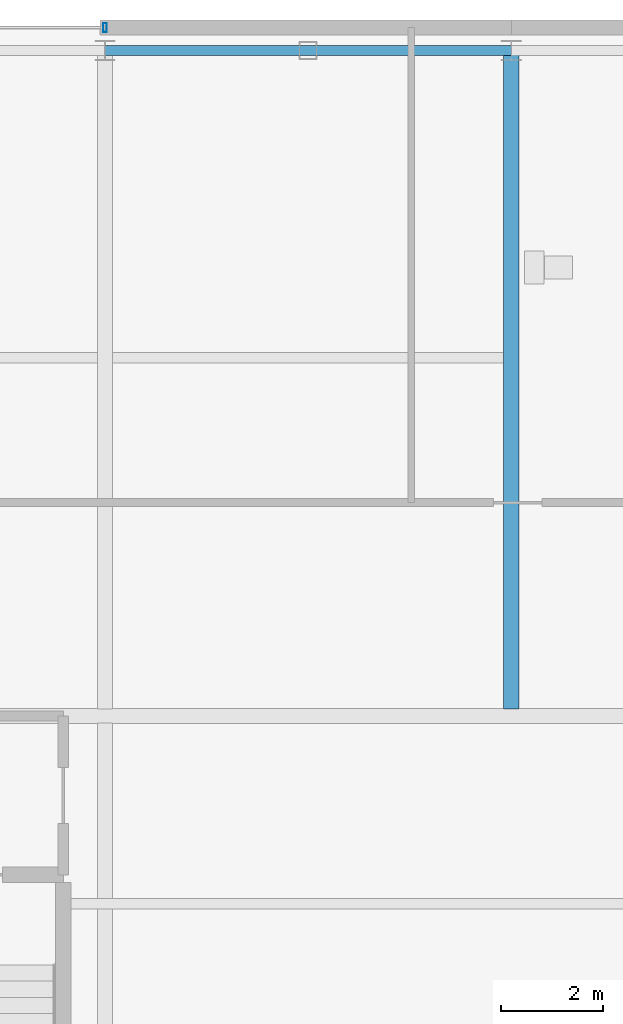
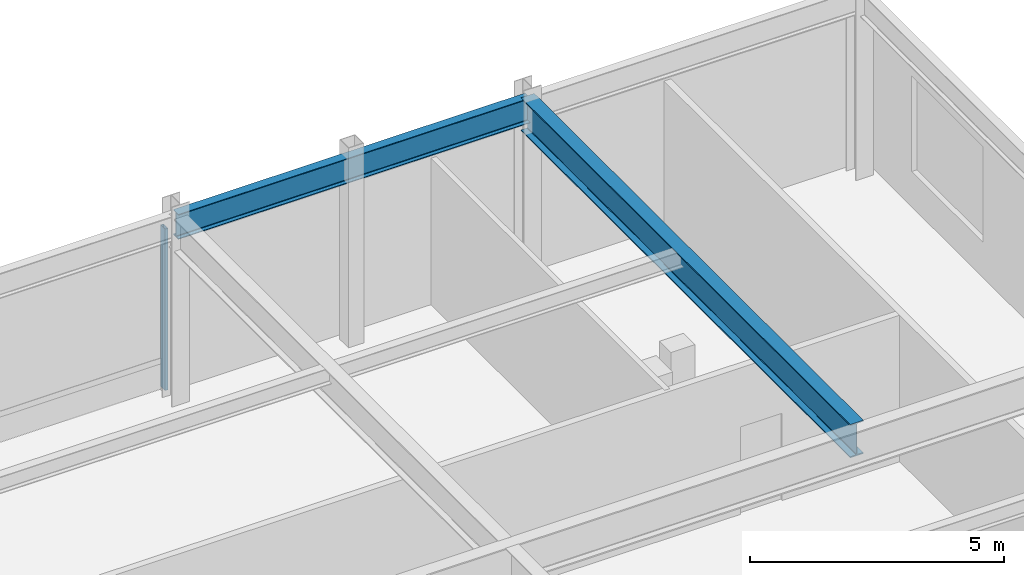
# One storey, part 16 of 26: 2 beams, 1 member, 1 element without a shape of its own.
"""IFC4 building model written with IfcOpenShell, lengths in metres."""

from ifc_helpers import new_model, si_unit, direction, frame, origin, origin_2d, place, context, subcontext, project, spatial, hollow_rectangle, i_section, extrude, material, layer, layer_set, material_profile, profile_set, type_object, element, aggregate, save


model = new_model("IFC4")

# Units and contexts
model_context = context("Model", 3, precision=1e-05, world=origin(), true_north=direction((0.0, 1.0)))
body_context = subcontext(model_context, "Body", "Model", "MODEL_VIEW")
ifc_project = project(units=[si_unit("LENGTHUNIT", "METRE"), si_unit("AREAUNIT", "SQUARE_METRE"), si_unit("VOLUMEUNIT", "CUBIC_METRE"), si_unit("PLANEANGLEUNIT", "RADIAN"), si_unit("MASSUNIT", "GRAM", prefix="KILO")], contexts=[model_context])

# Site, building, storey
site_placement = place(None, origin())
site = spatial("IfcSite", under=ifc_project, at=site_placement, CompositionType="ELEMENT")
building_placement = place(site_placement, origin())
building = spatial("IfcBuilding", under=site, at=building_placement, Name="Veldorina Hangang Commons", CompositionType="ELEMENT")
storey_placement = place(building_placement, frame((0.0, 0.0, 5.199951171875)))
storey = spatial("IfcBuildingStorey", under=building, at=storey_placement, Name="L01", CompositionType="ELEMENT", Elevation=5.199951171875)

# Beams
ifc_material_1 = material(Name="Steel SM460-TMC", Category="steel")
ifc_material_profile_1 = material_profile(ifc_material_1, i_section(OverallWidth=0.300048828125, OverallDepth=0.800048828125, WebThickness=0.013916015625, FlangeThickness=0.02587890625, FilletRadius=0.02197265625, at=origin_2d()), Name="H-800x300x14x26")
ifc_profile_set_1 = profile_set([ifc_material_profile_1], Name="Steel SM460-TMC")
beam_type_1 = type_object("IfcBeamType", Name="BM-PG800", PredefinedType="BEAM", material=ifc_profile_set_1)
beam_1_placement = place(storey_placement, frame((52.0, 31.590087890625, 4.10009765625), z_axis=(0.0, 1.0, 0.0), x_axis=(-1.0, 0.0, 0.0)))
element("IfcBeam", 1, at=beam_1_placement, inside=storey, type_object=beam_type_1, Name="L01 north primary girder G8", PredefinedType="BEAM", context=body_context, shape_type="SweptSolid", body=[
    extrude(i_section(OverallWidth=0.300048828125, OverallDepth=0.800048828125, WebThickness=0.013916015625, FlangeThickness=0.02587890625, FilletRadius=0.02197265625, at=origin_2d()), origin(), (0.0, 0.0, 1.0), 12.9599609375),
])
ifc_material_2 = material(Name="Steel SM420-TMC", Category="steel")
ifc_material_profile_2 = material_profile(ifc_material_2, i_section(OverallWidth=0.199951171875, OverallDepth=0.60009765625, WebThickness=0.010986328125, FlangeThickness=0.01708984375, FilletRadius=0.01806640625, at=origin_2d()), Name="H-600x200x11x17")
ifc_profile_set_2 = profile_set([ifc_material_profile_2], Name="Steel SM420-TMC")
beam_type_2 = type_object("IfcBeamType", Name="BM-SPN600", PredefinedType="SPANDREL", material=ifc_profile_set_2)
beam_2_placement = place(storey_placement, frame((44.0, 44.550048828125, 4.199951171875), z_axis=(1.0, 0.0, 0.0), x_axis=(0.0, 1.0, 0.0)))
element("IfcBeam", 2, at=beam_2_placement, inside=storey, type_object=beam_type_2, Name="L01 north spandrel beam 5", PredefinedType="SPANDREL", context=body_context, shape_type="SweptSolid", body=[
    extrude(i_section(OverallWidth=0.199951171875, OverallDepth=0.60009765625, WebThickness=0.010986328125, FlangeThickness=0.01708984375, FilletRadius=0.01806640625, at=origin_2d()), origin(), (0.0, 0.0, 1.0), 8.0),
])

# Curtain wall, member
ifc_material_3 = material(Name="Glass Low-E Triple IGU", Category="glass")
ifc_layer = layer(ifc_material_3, 0.179931640625)
ifc_layer_set = layer_set([ifc_layer], Name="Glass Low-E Triple IGU")
curtain_wall_type = type_object("IfcCurtainWallType", Name="CW-SYS-POD", PredefinedType="NOTDEFINED", material=ifc_layer_set)
curtain_wall_placement = place(storey_placement, origin())
curtain_wall = element("IfcCurtainWall", 3, at=curtain_wall_placement, inside=storey, type_object=curtain_wall_type, Name="L01 unitised curtain wall CW-L01-N-CTR", PredefinedType="NOTDEFINED")
ifc_material_4 = material(Name="Aluminium Anodized AA6063-T6", Category="aluminium")
ifc_material_profile_3 = material_profile(ifc_material_4, hollow_rectangle(XDim=0.070068359375, YDim=0.179931640625, WallThickness=0.00390625, at=origin_2d()), Name="ALU-RHS-180x70x4")
ifc_profile_set_3 = profile_set([ifc_material_profile_3], Name="Aluminium Anodized AA6063-T6")
member_type = type_object("IfcMemberType", Name="CW-MUL-180", PredefinedType="MULLION", material=ifc_profile_set_3)
member_placement = place(storey_placement, frame((44.0, 45.0, 0.0), z_axis=(0.0, 0.0, 1.0), x_axis=(-1.0, 0.0, 0.0)))
member = element("IfcMember", 4, at=member_placement, type_object=member_type, Name="CW-L01-N-CTR vertical mullion 1", PredefinedType="MULLION", context=body_context, shape_type="SweptSolid", body=[
    extrude(hollow_rectangle(XDim=0.070068359375, YDim=0.179931640625, WallThickness=0.00390625, at=origin_2d()), origin(), (0.0, 0.0, 1.0), 3.880126953125),
])
aggregate(curtain_wall, [member])

save(model, "model.ifc")
